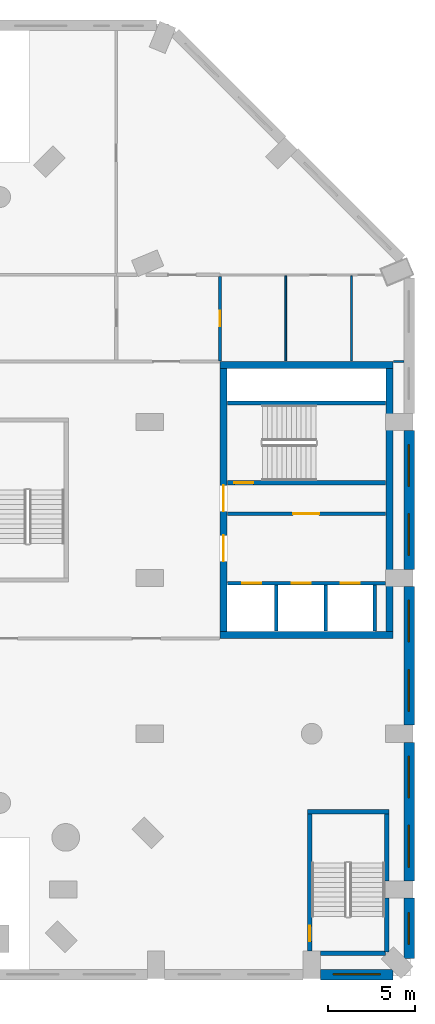
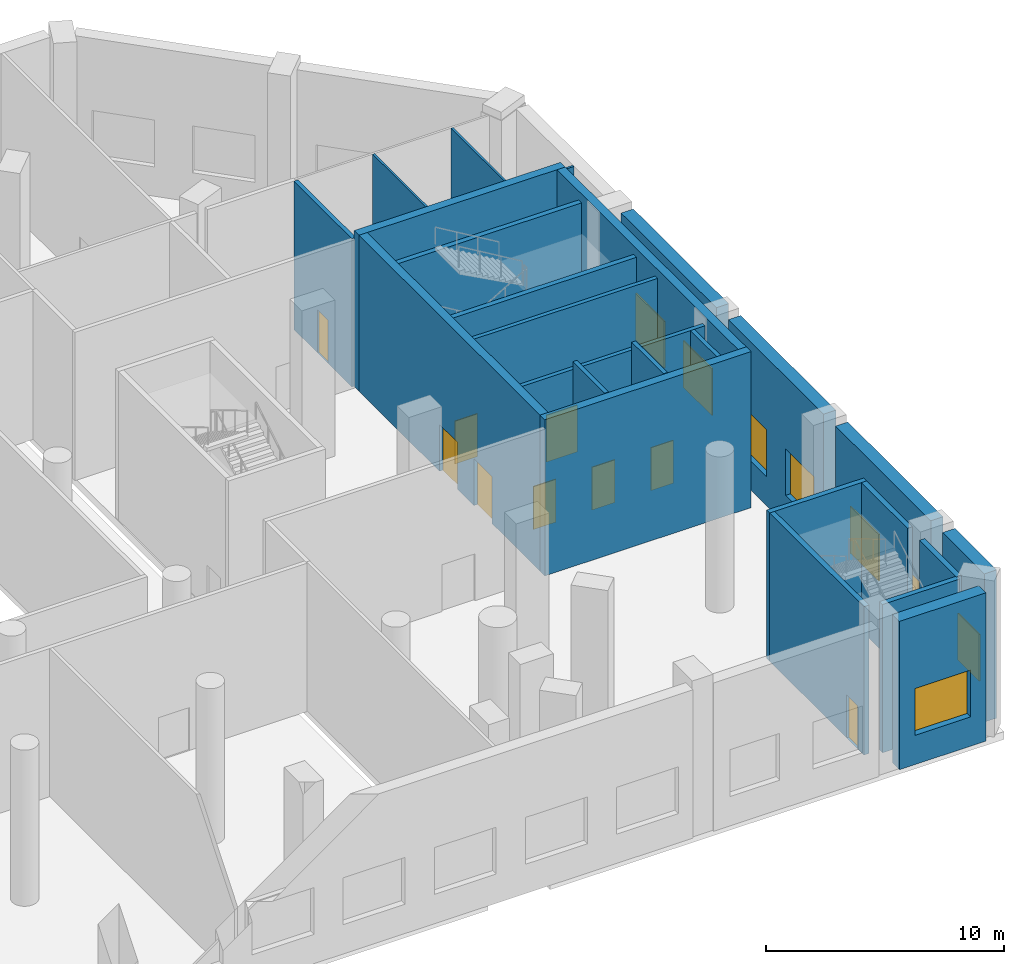
# One storey, part 8 of 18: 25 walls, 9 doors, 8 windows, 17 openings.
"""IFC4 building model written with IfcOpenShell, lengths in metres."""

from ifc_helpers import new_model, si_unit, direction, frame, frame_2d, origin, place, context, subcontext, project, spatial, rectangle, extrude, material, layer, layer_set, type_object, element, fill, save


model = new_model("IFC4")

# Units and contexts
model_context = context("Model", 3, precision=1e-05, world=origin(), true_north=direction((0.0, 1.0)))
body_context = subcontext(model_context, "Body", "Model", "MODEL_VIEW")
ifc_project = project(units=[si_unit("LENGTHUNIT", "METRE"), si_unit("AREAUNIT", "SQUARE_METRE"), si_unit("VOLUMEUNIT", "CUBIC_METRE"), si_unit("PLANEANGLEUNIT", "RADIAN"), si_unit("MASSUNIT", "GRAM", prefix="KILO")], contexts=[model_context])

# Site, building, storey
site_placement = place(None, origin())
site = spatial("IfcSite", under=ifc_project, at=site_placement, CompositionType="ELEMENT")
building_placement = place(site_placement, origin())
building = spatial("IfcBuilding", under=site, at=building_placement, Name="Cypress Arch Tower", CompositionType="ELEMENT")
storey_placement = place(building_placement, frame((0.0, 0.0, 36.0)))
storey = spatial("IfcBuildingStorey", under=building, at=storey_placement, Name="L04", CompositionType="ELEMENT", Elevation=36.0)

# Wall, opening, window
ifc_material_1 = material(Name="Brick (red buff blend) on blockwork backing", Category="masonry")
ifc_layer_1 = layer(ifc_material_1, 0.60009765625)
ifc_layer_set_1 = layer_set([ifc_layer_1], Name="Brick base wall BW600")
wall_type_1 = type_object("IfcWallType", Name="Brick base wall BW600", PredefinedType="ELEMENTEDWALL", material=ifc_layer_set_1)
wall_1_placement = place(storey_placement, frame((33.800048828125, -27.425048828125, 0.0), z_axis=(0.0, 0.0, 1.0), x_axis=(1.0, 0.0, 0.0)))
wall_1 = element("IfcWall", 1, at=wall_1_placement, inside=storey, type_object=wall_type_1, Name="Brick wall L04 P00.8", PredefinedType="ELEMENTEDWALL", context=body_context, shape_type="SweptSolid", body=[
    extrude(rectangle(XDim=4.19287109375, YDim=0.60009765625, at=frame_2d((2.096435546875, 0.0))), origin(), (0.0, 0.0, 1.0), 7.60009765625),
])
opening_1_placement = place(wall_1_placement, frame((0.746337890625, 0.0, 1.5)))
opening_1 = element("IfcOpeningElement", 2, at=opening_1_placement, cuts=wall_1, Name="Opening W270P", PredefinedType="OPENING", context=body_context, shape_type="SweptSolid", body=[
    extrude(rectangle(XDim=2.699951171875, YDim=2.39990234375, at=frame_2d((1.35009765625, 1.199951171875))), frame((0.0, 0.31005859375, 0.0), z_axis=(0.0, -1.0, 0.0), x_axis=(1.0, 0.0, 0.0)), (0.0, 0.0, 1.0), 0.6201171875),
])
ifc_material_2 = material(Name="Anodised aluminium, bronze finish, clear low-emissivity double glazing", Category="aluminium")
window_type_1 = type_object("IfcWindowType", Name="Window Podium 2700x2400", PartitioningType="SINGLE_PANEL", PredefinedType="WINDOW", material=ifc_material_2)
window_1_placement = place(opening_1_placement, origin())
window_1 = element("IfcWindow", 3, at=window_1_placement, inside=storey, type_object=window_type_1, Name="Window L04 P00.8.1", OverallHeight=2.39990234375, OverallWidth=2.699951171875, PartitioningType="SINGLE_PANEL", PredefinedType="WINDOW", context=body_context, shape_type="SweptSolid", body=[
    extrude(rectangle(XDim=2.699951171875, YDim=2.39990234375, at=frame_2d((1.35009765625, 1.199951171875))), frame((0.0, 0.06005859375, 0.0), z_axis=(0.0, -1.0, 0.0), x_axis=(1.0, 0.0, 0.0)), (0.0, 0.0, 1.0), 0.06005859375),
])
fill(opening_1, window_1)

wall_2_placement = place(storey_placement, frame((38.925048828125, -26.492919921875, 0.0), z_axis=(0.0, 0.0, 1.0), x_axis=(0.0, 1.0, 0.0)))
wall_2 = element("IfcWall", 4, at=wall_2_placement, inside=storey, type_object=wall_type_1, Name="Brick wall L04 P01.0", PredefinedType="ELEMENTEDWALL", context=body_context, shape_type="SweptSolid", body=[
    extrude(rectangle(XDim=3.492919921875, YDim=0.60009765625, at=frame_2d((1.74658203125, 0.0))), origin(), (0.0, 0.0, 1.0), 7.60009765625),
])
opening_2_placement = place(wall_2_placement, frame((0.846435546875, 0.0, 1.5)))
opening_2 = element("IfcOpeningElement", 5, at=opening_2_placement, cuts=wall_2, Name="Opening W180P", PredefinedType="OPENING", context=body_context, shape_type="SweptSolid", body=[
    extrude(rectangle(XDim=1.800048828125, YDim=2.39990234375, at=frame_2d((0.89990234375, 1.199951171875))), frame((0.0, 0.31005859375, 0.0), z_axis=(0.0, -1.0, 0.0), x_axis=(1.0, 0.0, 0.0)), (0.0, 0.0, 1.0), 0.6201171875),
])
ifc_material_3 = material(Name="Anodised aluminium, bronze finish, clear low-emissivity double glazing", Category="aluminium")
window_type_2 = type_object("IfcWindowType", Name="Window Podium 1800x2400", PartitioningType="SINGLE_PANEL", PredefinedType="WINDOW", material=ifc_material_3)
window_2_placement = place(opening_2_placement, origin())
window_2 = element("IfcWindow", 6, at=window_2_placement, inside=storey, type_object=window_type_2, Name="Window L04 P01.0.1", OverallHeight=2.39990234375, OverallWidth=1.800048828125, PartitioningType="SINGLE_PANEL", PredefinedType="WINDOW", context=body_context, shape_type="SweptSolid", body=[
    extrude(rectangle(XDim=1.800048828125, YDim=2.39990234375, at=frame_2d((0.89990234375, 1.199951171875))), frame((0.0, 0.06005859375, 0.0), z_axis=(0.0, -1.0, 0.0), x_axis=(1.0, 0.0, 0.0)), (0.0, 0.0, 1.0), 0.06005859375),
])
fill(opening_2, window_2)

# Wall, openings, windows
wall_3_placement = place(storey_placement, frame((38.925048828125, -22.0, 0.0), z_axis=(0.0, 0.0, 1.0), x_axis=(0.0, 1.0, 0.0)))
wall_3 = element("IfcWall", 7, at=wall_3_placement, inside=storey, type_object=wall_type_1, Name="Brick wall L04 P01.1", PredefinedType="ELEMENTEDWALL", context=body_context, shape_type="SweptSolid", body=[
    extrude(rectangle(XDim=8.0, YDim=0.60009765625, at=frame_2d((4.0, 0.0))), origin(), (0.0, 0.0, 1.0), 7.60009765625),
])
opening_3_placement = place(wall_3_placement, frame((0.800048828125, 0.0, 1.5)))
opening_3 = element("IfcOpeningElement", 8, at=opening_3_placement, cuts=wall_3, Name="Opening W240P", PredefinedType="OPENING", context=body_context, shape_type="SweptSolid", body=[
    extrude(rectangle(XDim=2.39990234375, YDim=2.39990234375, at=frame_2d((1.199951171875, 1.199951171875))), frame((0.0, 0.31005859375, 0.0), z_axis=(0.0, -1.0, 0.0), x_axis=(1.0, 0.0, 0.0)), (0.0, 0.0, 1.0), 0.6201171875),
])
opening_4_placement = place(wall_3_placement, frame((4.800048828125, 0.0, 1.5)))
opening_4 = element("IfcOpeningElement", 9, at=opening_4_placement, cuts=wall_3, Name="Opening W240P", PredefinedType="OPENING", context=body_context, shape_type="SweptSolid", body=[
    extrude(rectangle(XDim=2.39990234375, YDim=2.39990234375, at=frame_2d((1.199951171875, 1.199951171875))), frame((0.0, 0.31005859375, 0.0), z_axis=(0.0, -1.0, 0.0), x_axis=(1.0, 0.0, 0.0)), (0.0, 0.0, 1.0), 0.6201171875),
])
ifc_material_4 = material(Name="Anodised aluminium, bronze finish, clear low-emissivity double glazing", Category="aluminium")
window_type_3 = type_object("IfcWindowType", Name="Window Podium 2400x2400", PartitioningType="SINGLE_PANEL", PredefinedType="WINDOW", material=ifc_material_4)
window_3_placement = place(opening_3_placement, origin())
window_3 = element("IfcWindow", 10, at=window_3_placement, inside=storey, type_object=window_type_3, Name="Window L04 P01.1.1", OverallHeight=2.39990234375, OverallWidth=2.39990234375, PartitioningType="SINGLE_PANEL", PredefinedType="WINDOW", context=body_context, shape_type="SweptSolid", body=[
    extrude(rectangle(XDim=2.39990234375, YDim=2.39990234375, at=frame_2d((1.199951171875, 1.199951171875))), frame((0.0, 0.06005859375, 0.0), z_axis=(0.0, -1.0, 0.0), x_axis=(1.0, 0.0, 0.0)), (0.0, 0.0, 1.0), 0.06005859375),
])
fill(opening_3, window_3)
window_4_placement = place(opening_4_placement, origin())
window_4 = element("IfcWindow", 11, at=window_4_placement, inside=storey, type_object=window_type_3, Name="Window L04 P01.1.2", OverallHeight=2.39990234375, OverallWidth=2.39990234375, PartitioningType="SINGLE_PANEL", PredefinedType="WINDOW", context=body_context, shape_type="SweptSolid", body=[
    extrude(rectangle(XDim=2.39990234375, YDim=2.39990234375, at=frame_2d((1.199951171875, 1.199951171875))), frame((0.0, 0.06005859375, 0.0), z_axis=(0.0, -1.0, 0.0), x_axis=(1.0, 0.0, 0.0)), (0.0, 0.0, 1.0), 0.06005859375),
])
fill(opening_4, window_4)

wall_4_placement = place(storey_placement, frame((38.925048828125, -13.0, 0.0), z_axis=(0.0, 0.0, 1.0), x_axis=(0.0, 1.0, 0.0)))
wall_4 = element("IfcWall", 12, at=wall_4_placement, inside=storey, type_object=wall_type_1, Name="Brick wall L04 P01.2", PredefinedType="ELEMENTEDWALL", context=body_context, shape_type="SweptSolid", body=[
    extrude(rectangle(XDim=8.0, YDim=0.60009765625, at=frame_2d((4.0, 0.0))), origin(), (0.0, 0.0, 1.0), 7.60009765625),
])
opening_5_placement = place(wall_4_placement, frame((0.800048828125, 0.0, 1.5)))
opening_5 = element("IfcOpeningElement", 13, at=opening_5_placement, cuts=wall_4, Name="Opening W240P", PredefinedType="OPENING", context=body_context, shape_type="SweptSolid", body=[
    extrude(rectangle(XDim=2.39990234375, YDim=2.39990234375, at=frame_2d((1.199951171875, 1.199951171875))), frame((0.0, 0.31005859375, 0.0), z_axis=(0.0, -1.0, 0.0), x_axis=(1.0, 0.0, 0.0)), (0.0, 0.0, 1.0), 0.6201171875),
])
opening_6_placement = place(wall_4_placement, frame((4.800048828125, 0.0, 1.5)))
opening_6 = element("IfcOpeningElement", 14, at=opening_6_placement, cuts=wall_4, Name="Opening W240P", PredefinedType="OPENING", context=body_context, shape_type="SweptSolid", body=[
    extrude(rectangle(XDim=2.39990234375, YDim=2.39990234375, at=frame_2d((1.199951171875, 1.199951171875))), frame((0.0, 0.31005859375, 0.0), z_axis=(0.0, -1.0, 0.0), x_axis=(1.0, 0.0, 0.0)), (0.0, 0.0, 1.0), 0.6201171875),
])
window_5_placement = place(opening_5_placement, origin())
window_5 = element("IfcWindow", 15, at=window_5_placement, inside=storey, type_object=window_type_3, Name="Window L04 P01.2.1", OverallHeight=2.39990234375, OverallWidth=2.39990234375, PartitioningType="SINGLE_PANEL", PredefinedType="WINDOW", context=body_context, shape_type="SweptSolid", body=[
    extrude(rectangle(XDim=2.39990234375, YDim=2.39990234375, at=frame_2d((1.199951171875, 1.199951171875))), frame((0.0, 0.06005859375, 0.0), z_axis=(0.0, -1.0, 0.0), x_axis=(1.0, 0.0, 0.0)), (0.0, 0.0, 1.0), 0.06005859375),
])
fill(opening_5, window_5)
window_6_placement = place(opening_6_placement, origin())
window_6 = element("IfcWindow", 16, at=window_6_placement, inside=storey, type_object=window_type_3, Name="Window L04 P01.2.2", OverallHeight=2.39990234375, OverallWidth=2.39990234375, PartitioningType="SINGLE_PANEL", PredefinedType="WINDOW", context=body_context, shape_type="SweptSolid", body=[
    extrude(rectangle(XDim=2.39990234375, YDim=2.39990234375, at=frame_2d((1.199951171875, 1.199951171875))), frame((0.0, 0.06005859375, 0.0), z_axis=(0.0, -1.0, 0.0), x_axis=(1.0, 0.0, 0.0)), (0.0, 0.0, 1.0), 0.06005859375),
])
fill(opening_6, window_6)

wall_5_placement = place(storey_placement, frame((38.925048828125, -4.0, 0.0), z_axis=(0.0, 0.0, 1.0), x_axis=(0.0, 1.0, 0.0)))
wall_5 = element("IfcWall", 17, at=wall_5_placement, inside=storey, type_object=wall_type_1, Name="Brick wall L04 P01.3", PredefinedType="ELEMENTEDWALL", context=body_context, shape_type="SweptSolid", body=[
    extrude(rectangle(XDim=8.0, YDim=0.60009765625, at=frame_2d((4.0, 0.0))), origin(), (0.0, 0.0, 1.0), 7.60009765625),
])
opening_7_placement = place(wall_5_placement, frame((0.800048828125, 0.0, 1.5)))
opening_7 = element("IfcOpeningElement", 18, at=opening_7_placement, cuts=wall_5, Name="Opening W240P", PredefinedType="OPENING", context=body_context, shape_type="SweptSolid", body=[
    extrude(rectangle(XDim=2.39990234375, YDim=2.39990234375, at=frame_2d((1.199951171875, 1.199951171875))), frame((0.0, 0.31005859375, 0.0), z_axis=(0.0, -1.0, 0.0), x_axis=(1.0, 0.0, 0.0)), (0.0, 0.0, 1.0), 0.6201171875),
])
opening_8_placement = place(wall_5_placement, frame((4.800048828125, 0.0, 1.5)))
opening_8 = element("IfcOpeningElement", 19, at=opening_8_placement, cuts=wall_5, Name="Opening W240P", PredefinedType="OPENING", context=body_context, shape_type="SweptSolid", body=[
    extrude(rectangle(XDim=2.39990234375, YDim=2.39990234375, at=frame_2d((1.199951171875, 1.199951171875))), frame((0.0, 0.31005859375, 0.0), z_axis=(0.0, -1.0, 0.0), x_axis=(1.0, 0.0, 0.0)), (0.0, 0.0, 1.0), 0.6201171875),
])
window_7_placement = place(opening_7_placement, origin())
window_7 = element("IfcWindow", 20, at=window_7_placement, inside=storey, type_object=window_type_3, Name="Window L04 P01.3.1", OverallHeight=2.39990234375, OverallWidth=2.39990234375, PartitioningType="SINGLE_PANEL", PredefinedType="WINDOW", context=body_context, shape_type="SweptSolid", body=[
    extrude(rectangle(XDim=2.39990234375, YDim=2.39990234375, at=frame_2d((1.199951171875, 1.199951171875))), frame((0.0, 0.06005859375, 0.0), z_axis=(0.0, -1.0, 0.0), x_axis=(1.0, 0.0, 0.0)), (0.0, 0.0, 1.0), 0.06005859375),
])
fill(opening_7, window_7)
window_8_placement = place(opening_8_placement, origin())
window_8 = element("IfcWindow", 21, at=window_8_placement, inside=storey, type_object=window_type_3, Name="Window L04 P01.3.2", OverallHeight=2.39990234375, OverallWidth=2.39990234375, PartitioningType="SINGLE_PANEL", PredefinedType="WINDOW", context=body_context, shape_type="SweptSolid", body=[
    extrude(rectangle(XDim=2.39990234375, YDim=2.39990234375, at=frame_2d((1.199951171875, 1.199951171875))), frame((0.0, 0.06005859375, 0.0), z_axis=(0.0, -1.0, 0.0), x_axis=(1.0, 0.0, 0.0)), (0.0, 0.0, 1.0), 0.06005859375),
])
fill(opening_8, window_8)

# Wall, opening, door
ifc_material_5 = material(Name="Concrete blockwork, plastered, rated", Category="masonry")
ifc_layer_2 = layer(ifc_material_5, 0.199951171875)
ifc_layer_set_2 = layer_set([ifc_layer_2], Name="Corridor wall FW200")
wall_type_2 = type_object("IfcWallType", Name="Corridor wall FW200", PredefinedType="PARTITIONING", material=ifc_layer_set_2)
wall_6_placement = place(storey_placement, frame((28.0, 8.030029296875, 0.0), z_axis=(0.0, 0.0, 1.0), x_axis=(0.0, 1.0, 0.0)))
wall_6 = element("IfcWall", 22, at=wall_6_placement, inside=storey, type_object=wall_type_2, Name="Corridor wall", PredefinedType="PARTITIONING", context=body_context, shape_type="SweptSolid", body=[
    extrude(rectangle(XDim=4.869873046875, YDim=0.199951171875, at=frame_2d((2.43505859375, 0.0))), origin(), (0.0, 0.0, 1.0), 7.597900390625),
])
opening_9_placement = place(wall_6_placement, frame((2.0, 0.0, 0.0)))
opening_9 = element("IfcOpeningElement", 23, at=opening_9_placement, cuts=wall_6, Name="Opening D03", PredefinedType="OPENING", context=body_context, shape_type="SweptSolid", body=[
    extrude(rectangle(XDim=0.89990234375, YDim=2.199951171875, at=frame_2d((0.449951171875, 1.10009765625))), frame((0.0, 0.10986328125, 0.0), z_axis=(0.0, -1.0, 0.0), x_axis=(1.0, 0.0, 0.0)), (0.0, 0.0, 1.0), 0.219970703125),
])
ifc_material_6 = material(Name="Timber flush door, moisture resistant", Category="wood")
door_type_1 = type_object("IfcDoorType", Name="Bathroom door D03 900x2200", OperationType="SINGLE_SWING_LEFT", PredefinedType="DOOR", material=ifc_material_6)
door_1_placement = place(opening_9_placement, origin())
door_1 = element("IfcDoor", 24, at=door_1_placement, inside=storey, type_object=door_type_1, Name="Bathroom door", OperationType="SINGLE_SWING_LEFT", OverallHeight=2.199951171875, OverallWidth=0.89990234375, PredefinedType="DOOR", context=body_context, shape_type="SweptSolid", body=[
    extrude(rectangle(XDim=0.89990234375, YDim=2.199951171875, at=frame_2d((0.449951171875, 1.10009765625))), frame((0.0, 0.02490234375, 0.0), z_axis=(0.0, -1.0, 0.0), x_axis=(1.0, 0.0, 0.0)), (0.0, 0.0, 1.0), 0.050048828125),
])
fill(opening_9, door_1)

wall_7_placement = place(storey_placement, frame((28.429931640625, -0.800048828125, 0.0), z_axis=(0.0, 0.0, 1.0), x_axis=(1.0, 0.0, 0.0)))
wall_7 = element("IfcWall", 25, at=wall_7_placement, inside=storey, type_object=wall_type_2, Name="Corridor wall", PredefinedType="PARTITIONING", context=body_context, shape_type="SweptSolid", body=[
    extrude(rectangle(XDim=9.14013671875, YDim=0.199951171875, at=frame_2d((4.570068359375, 0.0))), origin(), (0.0, 0.0, 1.0), 7.597900390625),
])
opening_10_placement = place(wall_7_placement, frame((3.800048828125, 0.0, 0.0)))
opening_10 = element("IfcOpeningElement", 26, at=opening_10_placement, cuts=wall_7, Name="Opening D07", PredefinedType="OPENING", context=body_context, shape_type="SweptSolid", body=[
    extrude(rectangle(XDim=1.5, YDim=2.39990234375, at=frame_2d((0.75, 1.199951171875))), frame((0.0, 0.10986328125, 0.0), z_axis=(0.0, -1.0, 0.0), x_axis=(1.0, 0.0, 0.0)), (0.0, 0.0, 1.0), 0.219970703125),
])
ifc_material_7 = material(Name="Steel framed glazed door, fire resisting", Category="steel")
door_type_2 = type_object("IfcDoorType", Name="Lobby door D07 1500x2400", OperationType="DOUBLE_DOOR_SINGLE_SWING", PredefinedType="DOOR", material=ifc_material_7)
door_2_placement = place(opening_10_placement, origin())
door_2 = element("IfcDoor", 27, at=door_2_placement, inside=storey, type_object=door_type_2, Name="Lobby door", OperationType="DOUBLE_DOOR_SINGLE_SWING", OverallHeight=2.39990234375, OverallWidth=1.5, PredefinedType="DOOR", context=body_context, shape_type="SweptSolid", body=[
    extrude(rectangle(XDim=1.5, YDim=2.39990234375, at=frame_2d((0.75, 1.199951171875))), frame((0.0, 0.02490234375, 0.0), z_axis=(0.0, -1.0, 0.0), x_axis=(1.0, 0.0, 0.0)), (0.0, 0.0, 1.0), 0.050048828125),
])
fill(opening_10, door_2)

# Walls
ifc_material_8 = material(Name="Concrete C60/75", Category="concrete")
ifc_layer_3 = layer(ifc_material_8, 0.39990234375)
ifc_layer_set_3 = layer_set([ifc_layer_3], Name="East core wall CW400 C60/75")
wall_type_3 = type_object("IfcWallType", Name="East core wall CW400 C60/75", PredefinedType="SHEAR", material=ifc_layer_set_3)
for number, where, z_axis, x_axis, name in (
    (28, (28.0, 7.800048828125, 0.0), (0.0, 0.0, 1.0), (1.0, 0.0, 0.0), "East core wall"),
    (29, (28.0, -7.800048828125, 0.0), (0.0, 0.0, 1.0), (1.0, 0.0, 0.0), "East core wall"),
):
    element("IfcWall", number, at=place(storey_placement, frame(where, z_axis=z_axis, x_axis=x_axis)), inside=storey, type_object=wall_type_3, Name=name, PredefinedType="SHEAR", context=body_context, shape_type="SweptSolid", body=[
        extrude(rectangle(XDim=10.0, YDim=0.39990234375, at=frame_2d((5.0, 0.0))), origin(), (0.0, 0.0, 1.0), 8.0),
    ])
wall_8_placement = place(storey_placement, frame((37.800048828125, -7.60009765625, 0.0), z_axis=(0.0, 0.0, 1.0), x_axis=(0.0, 1.0, 0.0)))
element("IfcWall", 30, at=wall_8_placement, inside=storey, type_object=wall_type_3, Name="East core wall", PredefinedType="SHEAR", context=body_context, shape_type="SweptSolid", body=[
    extrude(rectangle(XDim=15.2001953125, YDim=0.39990234375, at=frame_2d((7.60009765625, 0.0))), origin(), (0.0, 0.0, 1.0), 8.0),
])

# Wall, openings, doors
wall_9_placement = place(storey_placement, frame((28.199951171875, -7.60009765625, 0.0), z_axis=(0.0, 0.0, 1.0), x_axis=(0.0, 1.0, 0.0)))
wall_9 = element("IfcWall", 31, at=wall_9_placement, inside=storey, type_object=wall_type_3, Name="East core wall", PredefinedType="SHEAR", context=body_context, shape_type="SweptSolid", body=[
    extrude(rectangle(XDim=15.2001953125, YDim=0.39990234375, at=frame_2d((7.60009765625, 0.0))), origin(), (0.0, 0.0, 1.0), 8.0),
])
opening_11_placement = place(wall_9_placement, frame((4.050048828125, 0.0, 0.0)))
opening_11 = element("IfcOpeningElement", 32, at=opening_11_placement, cuts=wall_9, Name="Opening D07", PredefinedType="OPENING", context=body_context, shape_type="SweptSolid", body=[
    extrude(rectangle(XDim=1.5, YDim=2.39990234375, at=frame_2d((0.75, 1.199951171875))), frame((0.0, 0.2099609375, 0.0), z_axis=(0.0, -1.0, 0.0), x_axis=(1.0, 0.0, 0.0)), (0.0, 0.0, 1.0), 0.419921875),
])
opening_12_placement = place(wall_9_placement, frame((6.949951171875, 0.0, 0.0)))
opening_12 = element("IfcOpeningElement", 33, at=opening_12_placement, cuts=wall_9, Name="Opening D07", PredefinedType="OPENING", context=body_context, shape_type="SweptSolid", body=[
    extrude(rectangle(XDim=1.5, YDim=2.39990234375, at=frame_2d((0.75, 1.199951171875))), frame((0.0, 0.2099609375, 0.0), z_axis=(0.0, -1.0, 0.0), x_axis=(1.0, 0.0, 0.0)), (0.0, 0.0, 1.0), 0.419921875),
])
door_3_placement = place(opening_11_placement, origin())
door_3 = element("IfcDoor", 34, at=door_3_placement, inside=storey, type_object=door_type_2, Name="Lobby door", OperationType="DOUBLE_DOOR_SINGLE_SWING", OverallHeight=2.39990234375, OverallWidth=1.5, PredefinedType="DOOR", context=body_context, shape_type="SweptSolid", body=[
    extrude(rectangle(XDim=1.5, YDim=2.39990234375, at=frame_2d((0.75, 1.199951171875))), frame((0.0, 0.02490234375, 0.0), z_axis=(0.0, -1.0, 0.0), x_axis=(1.0, 0.0, 0.0)), (0.0, 0.0, 1.0), 0.050048828125),
])
fill(opening_11, door_3)
door_4_placement = place(opening_12_placement, origin())
door_4 = element("IfcDoor", 35, at=door_4_placement, inside=storey, type_object=door_type_2, Name="Lobby door", OperationType="DOUBLE_DOOR_SINGLE_SWING", OverallHeight=2.39990234375, OverallWidth=1.5, PredefinedType="DOOR", context=body_context, shape_type="SweptSolid", body=[
    extrude(rectangle(XDim=1.5, YDim=2.39990234375, at=frame_2d((0.75, 1.199951171875))), frame((0.0, 0.02490234375, 0.0), z_axis=(0.0, -1.0, 0.0), x_axis=(1.0, 0.0, 0.0)), (0.0, 0.0, 1.0), 0.050048828125),
])
fill(opening_12, door_4)

ifc_material_9 = material(Name="Concrete C50/60", Category="concrete")
ifc_layer_4 = layer(ifc_material_9, 0.199951171875)
ifc_layer_set_4 = layer_set([ifc_layer_4], Name="Shaft wall SH200")
wall_type_4 = type_object("IfcWallType", Name="Shaft wall SH200", PredefinedType="SHEAR", material=ifc_layer_set_4)
wall_10_placement = place(storey_placement, frame((28.429931640625, -4.800048828125, 0.0), z_axis=(0.0, 0.0, 1.0), x_axis=(1.0, 0.0, 0.0)))
wall_10 = element("IfcWall", 36, at=wall_10_placement, inside=storey, type_object=wall_type_4, Name="Shaft wall", PredefinedType="SHEAR", context=body_context, shape_type="SweptSolid", body=[
    extrude(rectangle(XDim=9.130126953125, YDim=0.199951171875, at=frame_2d((4.56494140625, 0.0))), origin(), (0.0, 0.0, 1.0), 7.597900390625),
])
opening_13_placement = place(wall_10_placement, frame((0.85009765625, 0.0, 0.0)))
opening_13 = element("IfcOpeningElement", 37, at=opening_13_placement, cuts=wall_10, Name="Opening LD-EW1", PredefinedType="OPENING", context=body_context, shape_type="SweptSolid", body=[
    extrude(rectangle(XDim=1.10009765625, YDim=2.199951171875, at=frame_2d((0.550048828125, 1.10009765625))), frame((0.0, 0.10986328125, 0.0), z_axis=(0.0, -1.0, 0.0), x_axis=(1.0, 0.0, 0.0)), (0.0, 0.0, 1.0), 0.219970703125),
])
opening_14_placement = place(wall_10_placement, frame((3.699951171875, 0.0, 0.0)))
opening_14 = element("IfcOpeningElement", 38, at=opening_14_placement, cuts=wall_10, Name="Opening LD-EW2", PredefinedType="OPENING", context=body_context, shape_type="SweptSolid", body=[
    extrude(rectangle(XDim=1.10009765625, YDim=2.199951171875, at=frame_2d((0.550048828125, 1.10009765625))), frame((0.0, 0.10986328125, 0.0), z_axis=(0.0, -1.0, 0.0), x_axis=(1.0, 0.0, 0.0)), (0.0, 0.0, 1.0), 0.219970703125),
])
opening_15_placement = place(wall_10_placement, frame((6.550048828125, 0.0, 0.0)))
opening_15 = element("IfcOpeningElement", 39, at=opening_15_placement, cuts=wall_10, Name="Opening LD-EWS", PredefinedType="OPENING", context=body_context, shape_type="SweptSolid", body=[
    extrude(rectangle(XDim=1.10009765625, YDim=2.199951171875, at=frame_2d((0.550048828125, 1.10009765625))), frame((0.0, 0.10986328125, 0.0), z_axis=(0.0, -1.0, 0.0), x_axis=(1.0, 0.0, 0.0)), (0.0, 0.0, 1.0), 0.219970703125),
])
ifc_material_10 = material(Name="Stainless steel centre-opening landing door, rated", Category="steel")
door_type_3 = type_object("IfcDoorType", Name="Lift landing door LD 1100x2200", OperationType="DOUBLE_DOOR_SLIDING", PredefinedType="DOOR", material=ifc_material_10)
door_5_placement = place(opening_13_placement, origin())
door_5 = element("IfcDoor", 40, at=door_5_placement, inside=storey, type_object=door_type_3, Name="Lift landing doors EW1", OperationType="DOUBLE_DOOR_SLIDING", OverallHeight=2.199951171875, OverallWidth=1.10009765625, PredefinedType="DOOR", context=body_context, shape_type="SweptSolid", body=[
    extrude(rectangle(XDim=1.10009765625, YDim=2.199951171875, at=frame_2d((0.550048828125, 1.10009765625))), frame((0.0, 0.02490234375, 0.0), z_axis=(0.0, -1.0, 0.0), x_axis=(1.0, 0.0, 0.0)), (0.0, 0.0, 1.0), 0.050048828125),
])
fill(opening_13, door_5)
door_6_placement = place(opening_14_placement, origin())
door_6 = element("IfcDoor", 41, at=door_6_placement, inside=storey, type_object=door_type_3, Name="Lift landing doors EW2", OperationType="DOUBLE_DOOR_SLIDING", OverallHeight=2.199951171875, OverallWidth=1.10009765625, PredefinedType="DOOR", context=body_context, shape_type="SweptSolid", body=[
    extrude(rectangle(XDim=1.10009765625, YDim=2.199951171875, at=frame_2d((0.550048828125, 1.10009765625))), frame((0.0, 0.02490234375, 0.0), z_axis=(0.0, -1.0, 0.0), x_axis=(1.0, 0.0, 0.0)), (0.0, 0.0, 1.0), 0.050048828125),
])
fill(opening_14, door_6)
door_7_placement = place(opening_15_placement, origin())
door_7 = element("IfcDoor", 42, at=door_7_placement, inside=storey, type_object=door_type_3, Name="Lift landing doors EWS", OperationType="DOUBLE_DOOR_SLIDING", OverallHeight=2.199951171875, OverallWidth=1.10009765625, PredefinedType="DOOR", context=body_context, shape_type="SweptSolid", body=[
    extrude(rectangle(XDim=1.10009765625, YDim=2.199951171875, at=frame_2d((0.550048828125, 1.10009765625))), frame((0.0, 0.02490234375, 0.0), z_axis=(0.0, -1.0, 0.0), x_axis=(1.0, 0.0, 0.0)), (0.0, 0.0, 1.0), 0.050048828125),
])
fill(opening_15, door_7)

# Walls
for number, where, z_axis, x_axis, name in (
    (43, (31.25, -7.570068359375, 0.0), (0.0, 0.0, 1.0), (0.0, 1.0, 0.0), "Shaft wall"),
    (44, (34.10009765625, -7.570068359375, 0.0), (0.0, 0.0, 1.0), (0.0, 1.0, 0.0), "Shaft wall"),
):
    element("IfcWall", number, at=place(storey_placement, frame(where, z_axis=z_axis, x_axis=x_axis)), inside=storey, type_object=wall_type_4, Name=name, PredefinedType="SHEAR", context=body_context, shape_type="SweptSolid", body=[
        extrude(rectangle(XDim=2.670166015625, YDim=0.199951171875, at=frame_2d((1.3349609375, 0.0))), origin(), (0.0, 0.0, 1.0), 8.0),
    ])
wall_11_placement = place(storey_placement, frame((36.949951171875, -7.570068359375, 0.0), z_axis=(0.0, 0.0, 1.0), x_axis=(0.0, 1.0, 0.0)))
element("IfcWall", 45, at=wall_11_placement, inside=storey, type_object=wall_type_4, Name="Shaft wall", PredefinedType="SHEAR", context=body_context, shape_type="SweptSolid", body=[
    extrude(rectangle(XDim=2.670166015625, YDim=0.199951171875, at=frame_2d((1.3349609375, 0.0))), origin(), (0.0, 0.0, 1.0), 7.597900390625),
])

# Wall, opening, door
ifc_material_11 = material(Name="Concrete C50/60", Category="concrete")
ifc_layer_5 = layer(ifc_material_11, 0.25)
ifc_layer_set_5 = layer_set([ifc_layer_5], Name="Stair enclosure wall SW250")
wall_type_5 = type_object("IfcWallType", Name="Stair enclosure wall SW250", PredefinedType="SHEAR", material=ifc_layer_set_5)
wall_12_placement = place(storey_placement, frame((28.429931640625, 1.0, 0.0), z_axis=(0.0, 0.0, 1.0), x_axis=(1.0, 0.0, 0.0)))
wall_12 = element("IfcWall", 46, at=wall_12_placement, inside=storey, type_object=wall_type_5, Name="Stair enclosure wall", PredefinedType="SHEAR", context=body_context, shape_type="SweptSolid", body=[
    extrude(rectangle(XDim=9.14013671875, YDim=0.25, at=frame_2d((4.570068359375, 0.0))), origin(), (0.0, 0.0, 1.0), 7.597900390625),
])
opening_16_placement = place(wall_12_placement, frame((0.39990234375, 0.0, 0.0)))
opening_16 = element("IfcOpeningElement", 47, at=opening_16_placement, cuts=wall_12, Name="Opening D06", PredefinedType="OPENING", context=body_context, shape_type="SweptSolid", body=[
    extrude(rectangle(XDim=1.10009765625, YDim=2.199951171875, at=frame_2d((0.550048828125, 1.10009765625))), frame((0.0, 0.135009765625, 0.0), z_axis=(0.0, -1.0, 0.0), x_axis=(1.0, 0.0, 0.0)), (0.0, 0.0, 1.0), 0.27001953125),
])
ifc_material_12 = material(Name="Steel door, fire resisting, panic bar", Category="steel")
door_type_4 = type_object("IfcDoorType", Name="Stair door D06 1100x2200", OperationType="SINGLE_SWING_LEFT", PredefinedType="DOOR", material=ifc_material_12)
door_8_placement = place(opening_16_placement, origin())
door_8 = element("IfcDoor", 48, at=door_8_placement, inside=storey, type_object=door_type_4, Name="Stair door", OperationType="SINGLE_SWING_LEFT", OverallHeight=2.199951171875, OverallWidth=1.10009765625, PredefinedType="DOOR", context=body_context, shape_type="SweptSolid", body=[
    extrude(rectangle(XDim=1.10009765625, YDim=2.199951171875, at=frame_2d((0.550048828125, 1.10009765625))), frame((0.0, 0.02490234375, 0.0), z_axis=(0.0, -1.0, 0.0), x_axis=(1.0, 0.0, 0.0)), (0.0, 0.0, 1.0), 0.050048828125),
])
fill(opening_16, door_8)

# Wall
wall_13_placement = place(storey_placement, frame((28.429931640625, 5.60009765625, 0.0), z_axis=(0.0, 0.0, 1.0), x_axis=(1.0, 0.0, 0.0)))
element("IfcWall", 49, at=wall_13_placement, inside=storey, type_object=wall_type_5, Name="Stair enclosure wall", PredefinedType="SHEAR", context=body_context, shape_type="SweptSolid", body=[
    extrude(rectangle(XDim=9.14013671875, YDim=0.25, at=frame_2d((4.570068359375, 0.0))), origin(), (0.0, 0.0, 1.0), 7.597900390625),
])

# Wall, opening, door
wall_14_placement = place(storey_placement, frame((33.175048828125, -26.050048828125, 0.0), z_axis=(0.0, 0.0, 1.0), x_axis=(0.0, 1.0, 0.0)))
wall_14 = element("IfcWall", 50, at=wall_14_placement, inside=storey, type_object=wall_type_5, Name="Stair enclosure wall", PredefinedType="SHEAR", context=body_context, shape_type="SweptSolid", body=[
    extrude(rectangle(XDim=7.920166015625, YDim=0.25, at=frame_2d((3.9599609375, 0.0))), origin(), (0.0, 0.0, 1.0), 7.60009765625),
])
opening_17_placement = place(wall_14_placement, frame((0.550048828125, 0.0, 0.0)))
opening_17 = element("IfcOpeningElement", 51, at=opening_17_placement, cuts=wall_14, Name="Opening D15", PredefinedType="OPENING", context=body_context, shape_type="SweptSolid", body=[
    extrude(rectangle(XDim=0.89990234375, YDim=2.199951171875, at=frame_2d((0.449951171875, 1.10009765625))), frame((0.0, 0.135009765625, 0.0), z_axis=(0.0, -1.0, 0.0), x_axis=(1.0, 0.0, 0.0)), (0.0, 0.0, 1.0), 0.27001953125),
])
ifc_material_13 = material(Name="Steel door, fire resisting, panic bar", Category="steel")
door_type_5 = type_object("IfcDoorType", Name="Stair door D15 900x2200", OperationType="SINGLE_SWING_LEFT", PredefinedType="DOOR", material=ifc_material_13)
door_9_placement = place(opening_17_placement, origin())
door_9 = element("IfcDoor", 52, at=door_9_placement, inside=storey, type_object=door_type_5, Name="Stair door", OperationType="SINGLE_SWING_RIGHT", OverallHeight=2.199951171875, OverallWidth=0.89990234375, PredefinedType="DOOR", context=body_context, shape_type="SweptSolid", body=[
    extrude(rectangle(XDim=0.89990234375, YDim=2.199951171875, at=frame_2d((0.449951171875, 1.10009765625))), frame((0.0, 0.02490234375, 0.0), z_axis=(0.0, -1.0, 0.0), x_axis=(1.0, 0.0, 0.0)), (0.0, 0.0, 1.0), 0.050048828125),
])
fill(opening_17, door_9)

# Walls
wall_15_placement = place(storey_placement, frame((33.800048828125, -26.175048828125, 0.0), z_axis=(0.0, 0.0, 1.0), x_axis=(1.0, 0.0, 0.0)))
element("IfcWall", 53, at=wall_15_placement, inside=storey, type_object=wall_type_5, Name="Stair enclosure wall", PredefinedType="SHEAR", context=body_context, shape_type="SweptSolid", body=[
    extrude(rectangle(XDim=3.7451171875, YDim=0.25, at=frame_2d((1.87255859375, 0.0))), origin(), (0.0, 0.0, 1.0), 7.60009765625),
])
wall_16_placement = place(storey_placement, frame((33.050048828125, -18.0048828125, 0.0), z_axis=(0.0, 0.0, 1.0), x_axis=(1.0, 0.0, 0.0)))
element("IfcWall", 54, at=wall_16_placement, inside=storey, type_object=wall_type_5, Name="Stair enclosure wall", PredefinedType="SHEAR", context=body_context, shape_type="SweptSolid", body=[
    extrude(rectangle(XDim=4.699951171875, YDim=0.25, at=frame_2d((2.35009765625, 0.0))), origin(), (0.0, 0.0, 1.0), 7.60009765625),
])
wall_17_placement = place(storey_placement, frame((37.625, -26.09521484375, 0.0), z_axis=(0.0, 0.0, 1.0), x_axis=(0.0, 1.0, 0.0)))
element("IfcWall", 55, at=wall_17_placement, inside=storey, type_object=wall_type_5, Name="Stair enclosure wall", PredefinedType="SHEAR", context=body_context, shape_type="SweptSolid", body=[
    extrude(rectangle(XDim=3.09521484375, YDim=0.25, at=frame_2d((1.547607421875, 0.0))), origin(), (0.0, 0.0, 1.0), 7.60009765625),
])
wall_18_placement = place(storey_placement, frame((37.625, -22.0, 0.0), z_axis=(0.0, 0.0, 1.0), x_axis=(0.0, 1.0, 0.0)))
element("IfcWall", 56, at=wall_18_placement, inside=storey, type_object=wall_type_5, Name="Stair enclosure wall", PredefinedType="SHEAR", context=body_context, shape_type="SweptSolid", body=[
    extrude(rectangle(XDim=3.8701171875, YDim=0.25, at=frame_2d((1.93505859375, 0.0))), origin(), (0.0, 0.0, 1.0), 7.60009765625),
])
ifc_material_14 = material(Name="Moisture resistant board on steel studs, tiled", Category="steel")
ifc_layer_6 = layer(ifc_material_14, 0.10009765625)
ifc_layer_set_6 = layer_set([ifc_layer_6], Name="Wet wall PW100")
wall_type_6 = type_object("IfcWallType", Name="Wet wall PW100", PredefinedType="PARTITIONING", material=ifc_layer_set_6)
for number, where, z_axis, x_axis, name in (
    (57, (31.800048828125, 8.030029296875, 0.0), (0.0, 0.0, 1.0), (0.0, 1.0, 0.0), "Wet wall"),
    (58, (35.60009765625, 8.030029296875, 0.0), (0.0, 0.0, 1.0), (0.0, 1.0, 0.0), "Wet wall"),
):
    element("IfcWall", number, at=place(storey_placement, frame(where, z_axis=z_axis, x_axis=x_axis)), inside=storey, type_object=wall_type_6, Name=name, PredefinedType="PARTITIONING", context=body_context, shape_type="SweptSolid", body=[
        extrude(rectangle(XDim=4.919921875, YDim=0.10009765625, at=frame_2d((2.4599609375, 0.0))), origin(), (0.0, 0.0, 1.0), 7.597900390625),
    ])
wall_19_placement = place(storey_placement, frame((38.030029296875, 8.0, 0.0), z_axis=(0.0, 0.0, 1.0), x_axis=(1.0, 0.0, 0.0)))
element("IfcWall", 59, at=wall_19_placement, inside=storey, type_object=wall_type_6, Name="Wet wall", PredefinedType="PARTITIONING", context=body_context, shape_type="SweptSolid", body=[
    extrude(rectangle(XDim=0.594970703125, YDim=0.10009765625, at=frame_2d((0.29736328125, 0.0))), origin(), (0.0, 0.0, 1.0), 7.597900390625),
])

save(model, "model.ifc")
